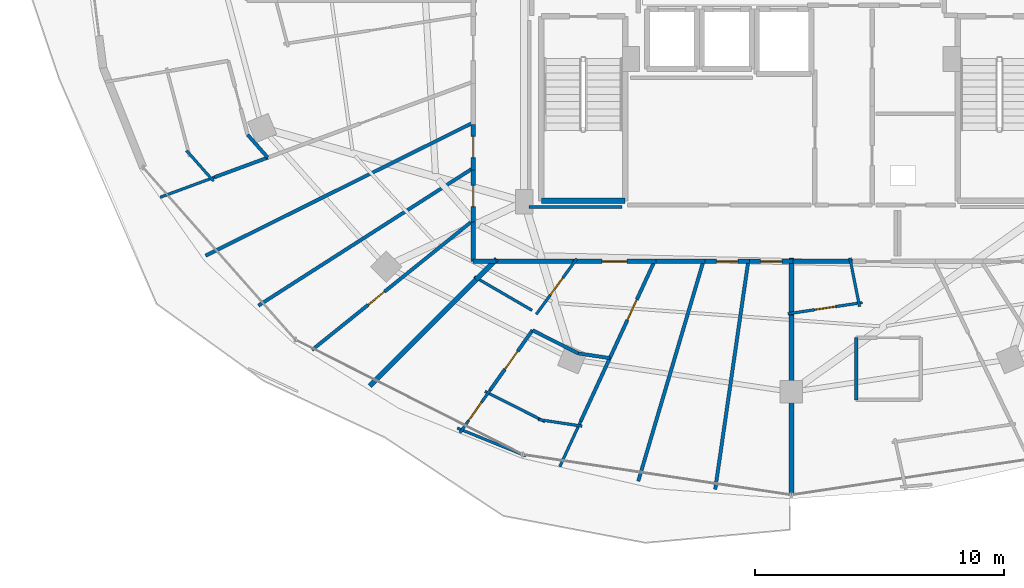
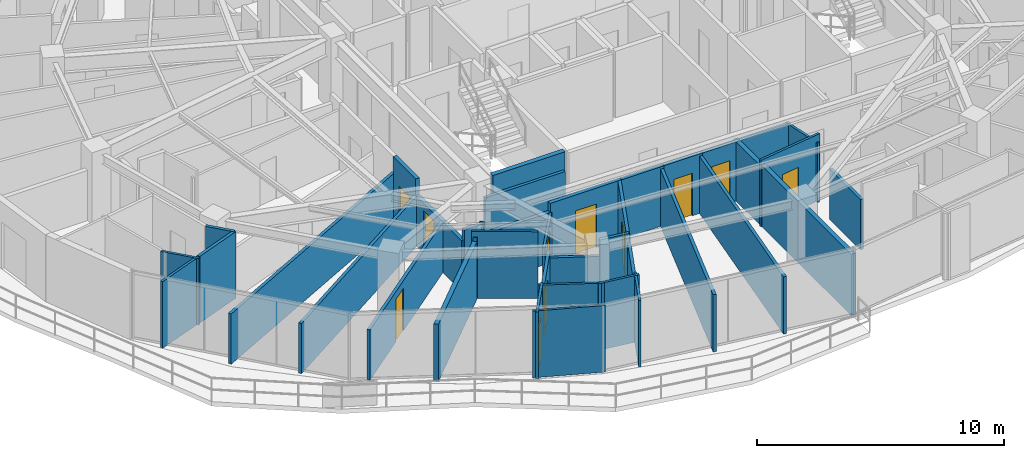
# One storey, part 23 of 32: 40 walls, 11 doors, 11 openings.
"""IFC4 building model written with IfcOpenShell, lengths in metres."""

import ifcopenshell
import ifcopenshell.guid

model = None  # the IFC model being written
_history = None  # IfcOwnerHistory: only IFC2X3 demands one
_inside = {}  # id of a spatial element -> (the spatial element, [elements in it])
_under = {}  # id of a project, library or spatial element -> (it, [spatial elements below it])
_declared = {}  # id of a project -> (the project, [libraries it declares])
_typed = {}  # id of a type object -> (the type object, [elements of that type])
_made_of = {}  # id of a material, layer set ... -> (it, [elements and type objects made of it])


def new_model(schema):
    """Start an empty IFC model of exactly this schema.

    Asked for "IFC4X3", IfcOpenShell would pick the latest addendum, in which some entities
    have other attributes; the version numbers below select the first issue.
    IFC2X3 requires an IfcOwnerHistory on every rooted entity: one is made here for all.
    """
    global model, _history
    if schema == "IFC4X3":
        model = ifcopenshell.file(schema_version=(4, 3, 0, 0))
    else:
        model = ifcopenshell.file(schema=schema)
    _inside.clear()
    _under.clear()
    _declared.clear()
    _typed.clear()
    _made_of.clear()
    _history = None
    if model.schema == "IFC2X3":
        org = make("IfcOrganization", Name="unknown")
        user = make(
            "IfcPersonAndOrganization",
            ThePerson=make("IfcPerson", FamilyName="unknown"),
            TheOrganization=org,
        )
        app = make(
            "IfcApplication",
            ApplicationDeveloper=org,
            Version="unknown",
            ApplicationFullName="unknown",
            ApplicationIdentifier="unknown",
        )
        _history = make(
            "IfcOwnerHistory",
            OwningUser=user,
            OwningApplication=app,
            ChangeAction="ADDED",
            CreationDate=0,
        )
    return model


def make(cls, **values):
    """One entity of the class cls with the attributes given. An attribute that is None is left unset."""
    return model.create_entity(
        cls, **{name: value for name, value in values.items() if value is not None}
    )


def rooted(cls, **values):
    """An entity with a GlobalId (a new one), such as an element, a storey or a relation."""
    return make(cls, GlobalId=ifcopenshell.guid.new(), OwnerHistory=_history, **values)


def si_unit(unit_type, name, prefix=None):
    """IfcSIUnit, for example si_unit("LENGTHUNIT", "METRE", prefix="MILLI")."""
    return make("IfcSIUnit", UnitType=unit_type, Prefix=prefix, Name=name)


def assignment(units):
    """IfcUnitAssignment: the units of a project."""
    return None if units is None else make("IfcUnitAssignment", Units=units)


def point(xyz):
    """IfcCartesianPoint."""
    return None if xyz is None else make("IfcCartesianPoint", Coordinates=xyz)


def direction(xyz):
    """IfcDirection."""
    return None if xyz is None else make("IfcDirection", DirectionRatios=xyz)


def frame(location, z_axis=None, x_axis=None):
    """IfcAxis2Placement3D, a coordinate frame: its origin and axes. An axis left out is left unset."""
    return make(
        "IfcAxis2Placement3D",
        Location=point(location),
        Axis=direction(z_axis),
        RefDirection=direction(x_axis),
    )


def frame_2d(location, x_axis=None):
    """IfcAxis2Placement2D, a coordinate frame in the plane: its origin and x axis."""
    return make(
        "IfcAxis2Placement2D", Location=point(location), RefDirection=direction(x_axis)
    )


def origin():
    """The frame at (0, 0, 0) with its axes left unset."""
    return frame((0.0, 0.0, 0.0))


def place(relative_to, where):
    """IfcLocalPlacement: puts the frame where relative to a parent placement (None: the world)."""
    return make(
        "IfcLocalPlacement", PlacementRelTo=relative_to, RelativePlacement=where
    )


def context(
    kind, dimensions, precision=None, world=None, true_north=None, identifier=None
):
    """IfcGeometricRepresentationContext, for example the 3D "Model" context."""
    return make(
        "IfcGeometricRepresentationContext",
        ContextIdentifier=identifier,
        ContextType=kind,
        CoordinateSpaceDimension=dimensions,
        Precision=precision,
        WorldCoordinateSystem=world,
        TrueNorth=true_north,
    )


def subcontext(parent, identifier, kind, view, scale=None):
    """IfcGeometricRepresentationSubContext, for example "Body" below "Model"."""
    return make(
        "IfcGeometricRepresentationSubContext",
        ContextIdentifier=identifier,
        ContextType=kind,
        ParentContext=parent,
        TargetScale=scale,
        TargetView=view,
    )


def project(units=None, contexts=None):
    """IfcProject with its units and contexts."""
    return rooted(
        "IfcProject",
        Name="project",
        RepresentationContexts=contexts,
        UnitsInContext=assignment(units),
    )


def spatial(cls, under=None, at=None, **own):
    """A site, building, storey or space (cls), placed at a placement, below another one or the project."""
    s = rooted(cls, ObjectPlacement=at, **own)
    if under is not None:
        _under.setdefault(under.id(), (under, []))[1].append(s)
    return s


def profile(cls, at=None, kind="AREA", **sizes):
    """A parametric profile (cls). Its sizes go by their IFC names, for example OverallWidth=200.0."""
    return make(cls, ProfileType=kind, Position=at, **sizes)


def rectangle(**sizes):
    """IfcRectangleProfileDef."""
    return profile("IfcRectangleProfileDef", **sizes)


def extrude(swept, where, along, depth):
    """IfcExtrudedAreaSolid: the profile swept, set in the frame where, extruded along a direction by depth."""
    return make(
        "IfcExtrudedAreaSolid",
        SweptArea=swept,
        Position=where,
        ExtrudedDirection=direction(along),
        Depth=depth,
    )


def shape(context_of_items, identifier, shape_type, items):
    """IfcShapeRepresentation: the items that make up one representation, for example the "Body"."""
    return make(
        "IfcShapeRepresentation",
        ContextOfItems=context_of_items,
        RepresentationIdentifier=identifier,
        RepresentationType=shape_type,
        Items=items,
    )


def material(Name=None, Category=None):
    """IfcMaterial."""
    return make("IfcMaterial", Name=Name, Category=Category)


def layer(
    of_material, thickness, ventilated=None, Name=None, Category=None, Priority=None
):
    """IfcMaterialLayer: one layer of a wall or slab, of a material (None: an air gap)."""
    return make(
        "IfcMaterialLayer",
        Material=of_material,
        LayerThickness=thickness,
        IsVentilated=ventilated,
        Name=Name,
        Category=Category,
        Priority=Priority,
    )


def layer_set(layers, Name=None):
    """IfcMaterialLayerSet."""
    return make("IfcMaterialLayerSet", MaterialLayers=layers, LayerSetName=Name)


def made_of(thing, what):
    """Note that an element or type object is made of a material, layer set ...; save() writes the relation."""
    if what is not None:
        _made_of.setdefault(what.id(), (what, []))[1].append(thing)
    return thing


def type_object(cls, material=None, **own):
    """A type object (cls), such as IfcWallType, which elements share."""
    return made_of(rooted(cls, **own), material)


def element(
    cls,
    number,
    at=None,
    inside=None,
    cuts=None,
    type_object=None,
    material=None,
    context=None,
    identifier="Body",
    shape_type=None,
    held_by="IfcProductDefinitionShape",
    body=None,
    shapes=None,
    **own,
):
    """One element of the class cls, such as IfcWall. Its Tag is "e" and its number.

    at: its placement. inside: the storey or other place that contains it. cuts: it is an
    opening in that element (IfcRelVoidsElement). A single representation is given by context,
    identifier, shape_type and body (its items); several are given by shapes. held_by: the class
    of the entity that holds the representations. save() writes the other relations.
    """
    e = rooted(cls, Tag="e%d" % number, ObjectPlacement=at, **own)
    if body is not None:
        shapes = [shape(context, identifier, shape_type, body)]
    if shapes is not None:
        e.Representation = make(held_by, Representations=shapes)
    if inside is not None:
        _inside.setdefault(inside.id(), (inside, []))[1].append(e)
    if cuts is not None:
        rooted(
            "IfcRelVoidsElement", RelatingBuildingElement=cuts, RelatedOpeningElement=e
        )
    if type_object is not None:
        _typed.setdefault(type_object.id(), (type_object, []))[1].append(e)
    return made_of(e, material)


def fill(opening, filler):
    """IfcRelFillsElement: the door or window that sits in an opening."""
    return rooted(
        "IfcRelFillsElement",
        RelatingOpeningElement=opening,
        RelatedBuildingElement=filler,
    )


def aggregate(whole, parts):
    """IfcRelAggregates: a whole, such as a stair, and the parts it consists of."""
    return rooted("IfcRelAggregates", RelatingObject=whole, RelatedObjects=parts)


def save(model, path):
    """Write the relations noted so far, then the file.

    IfcRelAggregates (storeys below a building ...), IfcRelContainedInSpatialStructure (elements
    in a storey), IfcRelDefinesByType, IfcRelAssociatesMaterial and IfcRelDeclares: one each for
    every whole, place, type object, material and project.
    """
    for whole, parts in _under.values():
        aggregate(whole, parts)
    for where, things in _inside.values():
        rooted(
            "IfcRelContainedInSpatialStructure",
            RelatedElements=things,
            RelatingStructure=where,
        )
    for kind, things in _typed.values():
        rooted("IfcRelDefinesByType", RelatedObjects=things, RelatingType=kind)
    for what, things in _made_of.values():
        rooted("IfcRelAssociatesMaterial", RelatedObjects=things, RelatingMaterial=what)
    for by, libraries in _declared.values():
        rooted("IfcRelDeclares", RelatingContext=by, RelatedDefinitions=libraries)
    model.write(path)


model = new_model("IFC4")

# Units and contexts
model_context = context("Model", 3, precision=1e-05, world=origin(), true_north=direction((0.0, 1.0)))
body_context = subcontext(model_context, "Body", "Model", "MODEL_VIEW")
ifc_project = project(units=[si_unit("LENGTHUNIT", "METRE"), si_unit("AREAUNIT", "SQUARE_METRE"), si_unit("VOLUMEUNIT", "CUBIC_METRE"), si_unit("PLANEANGLEUNIT", "RADIAN"), si_unit("MASSUNIT", "GRAM", prefix="KILO")], contexts=[model_context])

# Site, building, storey
site_placement = place(None, origin())
site = spatial("IfcSite", under=ifc_project, at=site_placement, CompositionType="ELEMENT")
building_placement = place(site_placement, origin())
building = spatial("IfcBuilding", under=site, at=building_placement, Name="Vorneva Point Tower", CompositionType="ELEMENT")
storey_placement = place(building_placement, frame((0.0, 0.0, 207.199951171875)))
storey = spatial("IfcBuildingStorey", under=building, at=storey_placement, Name="L56", CompositionType="ELEMENT", Elevation=207.199951171875)

# Walls
ifc_material_1 = material(Name="Fire-rated acoustic gypsum stud partition", Category="gypsum")
ifc_layer_1 = layer(ifc_material_1, 0.110107421875)
ifc_layer_set_1 = layer_set([ifc_layer_1], Name="Fire-rated acoustic gypsum stud partition")
wall_type_1 = type_object("IfcWallType", Name="WL-PART-110", PredefinedType="PARTITIONING", material=ifc_layer_set_1)
wall_1_placement = place(storey_placement, frame((14.749755859375, 17.283203125, 0.0), z_axis=(0.0, 0.0, 1.0), x_axis=(-0.662345628205, 0.749198417509, 0.0)))
element("IfcWall", 1, at=wall_1_placement, inside=storey, type_object=wall_type_1, Name="L56 Interior Partition 106", PredefinedType="PARTITIONING", context=body_context, shape_type="SweptSolid", body=[
    extrude(rectangle(XDim=1.638916015625, YDim=0.110107421875, at=frame_2d((0.8193359375, 0.0))), origin(), (0.0, 0.0, 1.0), 3.2900390625),
])
wall_2_placement = place(storey_placement, frame((12.603759765625, 16.630615234375, 0.0), z_axis=(0.0, 0.0, 1.0), x_axis=(0.938194450562, 0.346108614361, 0.0)))
element("IfcWall", 2, at=wall_2_placement, inside=storey, type_object=wall_type_1, Name="L56 Interior Partition 108", PredefinedType="PARTITIONING", context=body_context, shape_type="SweptSolid", body=[
    extrude(rectangle(XDim=2.328369140625, YDim=0.110107421875, at=frame_2d((1.1640625, 0.0))), origin(), (0.0, 0.0, 1.0), 3.2900390625),
])

# Wall, opening, door
wall_3_placement = place(storey_placement, frame((29.37158203125, 14.1630859375, 0.0), z_axis=(0.0, 0.0, 1.0), x_axis=(-0.589066743954, -0.808084383693, 0.0)))
wall_3 = element("IfcWall", 3, at=wall_3_placement, inside=storey, type_object=wall_type_1, Name="L56 Interior Partition 115", PredefinedType="PARTITIONING", context=body_context, shape_type="SweptSolid", body=[
    extrude(rectangle(XDim=2.772216796875, YDim=0.110107421875, at=frame_2d((1.38623046875, 0.0))), origin(), (0.0, 0.0, 1.0), 2.48193359375),
])
opening_1_placement = place(wall_3_placement, frame((0.961181640625, 0.0, 0.0)))
opening_1 = element("IfcOpeningElement", 4, at=opening_1_placement, cuts=wall_3, Name="Opening ID-02", PredefinedType="OPENING", context=body_context, shape_type="SweptSolid", body=[
    extrude(rectangle(XDim=0.85009765625, YDim=2.10009765625, at=frame_2d((0.425048828125, 1.050048828125))), frame((0.0, 0.06982421875, 0.0), z_axis=(0.0, -1.0, 0.0), x_axis=(1.0, 0.0, 0.0)), (0.0, 0.0, 1.0), 0.139892578125),
])
ifc_material_2 = material(Name="Engineered oak fire-rated door leaf", Category="wood")
door_type_1 = type_object("IfcDoorType", Name="DR-BATH-850", OperationType="NOTDEFINED", PredefinedType="DOOR", material=ifc_material_2)
door_1_placement = place(opening_1_placement, origin())
door_1 = element("IfcDoor", 5, at=door_1_placement, inside=storey, type_object=door_type_1, Name="L56 Door Living and Dining Room L56-04 / Bathroom L56-04", OperationType="SINGLE_SWING_LEFT", OverallHeight=2.10009765625, OverallWidth=0.85009765625, PredefinedType="DOOR", context=body_context, shape_type="SweptSolid", body=[
    extrude(rectangle(XDim=0.85009765625, YDim=2.10009765625, at=frame_2d((0.425048828125, 1.050048828125))), frame((0.0, 0.02490234375, 0.0), z_axis=(0.0, -1.0, 0.0), x_axis=(1.0, 0.0, 0.0)), (0.0, 0.0, 1.0), 0.050048828125),
])
fill(opening_1, door_1)

# Walls
wall_4_placement = place(storey_placement, frame((27.568115234375, 12.08251953125, 0.0), z_axis=(0.0, 0.0, 1.0), x_axis=(-0.864515441931, 0.502606258082, 0.0)))
element("IfcWall", 6, at=wall_4_placement, inside=storey, type_object=wall_type_1, Name="L56 Interior Partition 116", PredefinedType="PARTITIONING", context=body_context, shape_type="SweptSolid", body=[
    extrude(rectangle(XDim=2.689697265625, YDim=0.110107421875, at=frame_2d((1.3447265625, 0.0))), origin(), (0.0, 0.0, 1.0), 3.2900390625),
])
wall_5_placement = place(storey_placement, frame((29.528564453125, 7.6240234375, 0.0), z_axis=(0.0, 0.0, 1.0), x_axis=(-0.418673802252, -0.908136689771, 0.0)))
element("IfcWall", 7, at=wall_5_placement, inside=storey, type_object=wall_type_1, Name="L56 Interior Partition 117", PredefinedType="PARTITIONING", context=body_context, shape_type="SweptSolid", body=[
    extrude(rectangle(XDim=2.01416015625, YDim=0.110107421875, at=frame_2d((1.007080078125, 0.0))), origin(), (0.0, 0.0, 1.0), 3.2900390625),
])
wall_6_placement = place(storey_placement, frame((24.561279296875, 7.342529296875, 0.0), z_axis=(0.0, 0.0, 1.0), x_axis=(0.926858319785, -0.375411314487, 0.0)))
element("IfcWall", 8, at=wall_6_placement, inside=storey, type_object=wall_type_1, Name="L56 Interior Partition 118", PredefinedType="PARTITIONING", context=body_context, shape_type="SweptSolid", body=[
    extrude(rectangle(XDim=2.970703125, YDim=0.110107421875, at=frame_2d((1.4853515625, 0.0))), origin(), (0.0, 0.0, 1.0), 3.2900390625),
])

# Wall, opening, door
wall_7_placement = place(storey_placement, frame((24.666259765625, 7.15380859375, 0.0), z_axis=(0.0, 0.0, 1.0), x_axis=(0.577389248155, 0.816469017241, 0.0)))
wall_7 = element("IfcWall", 9, at=wall_7_placement, inside=storey, type_object=wall_type_1, Name="L56 Interior Partition 119", PredefinedType="PARTITIONING", context=body_context, shape_type="SweptSolid", body=[
    extrude(rectangle(XDim=2.103515625, YDim=0.110107421875, at=frame_2d((1.0517578125, 0.0))), origin(), (0.0, 0.0, 1.0), 3.2900390625),
])
opening_2_placement = place(wall_7_placement, frame((0.601806640625, 0.0, 0.0)))
opening_2 = element("IfcOpeningElement", 10, at=opening_2_placement, cuts=wall_7, Name="Opening ID-01", PredefinedType="OPENING", context=body_context, shape_type="SweptSolid", body=[
    extrude(rectangle(XDim=0.89990234375, YDim=2.10009765625, at=frame_2d((0.449951171875, 1.050048828125))), frame((0.0, 0.06982421875, 0.0), z_axis=(0.0, -1.0, 0.0), x_axis=(1.0, 0.0, 0.0)), (0.0, 0.0, 1.0), 0.139892578125),
])
door_type_2 = type_object("IfcDoorType", Name="DR-ROOM-900", OperationType="NOTDEFINED", PredefinedType="DOOR", material=ifc_material_2)
door_2_placement = place(opening_2_placement, origin())
door_2 = element("IfcDoor", 11, at=door_2_placement, inside=storey, type_object=door_type_2, Name="L56 Door Living and Dining Room L56-04 / Kitchen L56-04", OperationType="SINGLE_SWING_LEFT", OverallHeight=2.10009765625, OverallWidth=0.89990234375, PredefinedType="DOOR", context=body_context, shape_type="SweptSolid", body=[
    extrude(rectangle(XDim=0.89990234375, YDim=2.10009765625, at=frame_2d((0.449951171875, 1.050048828125))), frame((0.0, 0.02490234375, 0.0), z_axis=(0.0, -1.0, 0.0), x_axis=(1.0, 0.0, 0.0)), (0.0, 0.0, 1.0), 0.050048828125),
])
fill(opening_2, door_2)

# Walls
wall_8_placement = place(storey_placement, frame((29.58349609375, 7.422119140625, 0.0), z_axis=(0.0, 0.0, 1.0), x_axis=(-0.988830695744, 0.149043131857, 0.0)))
element("IfcWall", 12, at=wall_8_placement, inside=storey, type_object=wall_type_1, Name="L56 Interior Partition 125", PredefinedType="PARTITIONING", context=body_context, shape_type="SweptSolid", body=[
    extrude(rectangle(XDim=1.783935546875, YDim=0.110107421875, at=frame_2d((0.89208984375, 0.0))), origin(), (0.0, 0.0, 1.0), 3.2900390625),
])
wall_9_placement = place(storey_placement, frame((28.0830078125, 7.60400390625, 0.0), z_axis=(0.0, 0.0, 1.0), x_axis=(-0.892628057427, 0.450793911999, 0.0)))
element("IfcWall", 13, at=wall_9_placement, inside=storey, type_object=wall_type_1, Name="L56 Interior Partition 126", PredefinedType="PARTITIONING", context=body_context, shape_type="SweptSolid", body=[
    extrude(rectangle(XDim=2.697509765625, YDim=0.110107421875, at=frame_2d((1.3486328125, 0.0))), origin(), (0.0, 0.0, 1.0), 3.2900390625),
])
wall_10_placement = place(storey_placement, frame((40.357666015625, 14.187255859375, 0.0), z_axis=(0.0, 0.0, 1.0), x_axis=(0.195313900905, -0.980740781304, 0.0)))
element("IfcWall", 14, at=wall_10_placement, inside=storey, type_object=wall_type_1, Name="L56 Interior Partition 131", PredefinedType="PARTITIONING", context=body_context, shape_type="SweptSolid", body=[
    extrude(rectangle(XDim=1.989990234375, YDim=0.110107421875, at=frame_2d((0.9951171875, 0.0))), origin(), (0.0, 0.0, 1.0), 2.93603515625),
])

# Wall, opening, door
wall_11_placement = place(storey_placement, frame((40.857421875, 12.393798828125, 0.0), z_axis=(0.0, 0.0, 1.0), x_axis=(-0.988873015636, -0.148762088409, 0.0)))
wall_11 = element("IfcWall", 15, at=wall_11_placement, inside=storey, type_object=wall_type_1, Name="L56 Interior Partition 132", PredefinedType="PARTITIONING", context=body_context, shape_type="SweptSolid", body=[
    extrude(rectangle(XDim=3.029541015625, YDim=0.110107421875, at=frame_2d((1.5146484375, 0.0))), origin(), (0.0, 0.0, 1.0), 3.2900390625),
])
opening_3_placement = place(wall_11_placement, frame((1.089599609375, 0.0, 0.0)))
opening_3 = element("IfcOpeningElement", 16, at=opening_3_placement, cuts=wall_11, Name="Opening ID-02", PredefinedType="OPENING", context=body_context, shape_type="SweptSolid", body=[
    extrude(rectangle(XDim=0.85009765625, YDim=2.10009765625, at=frame_2d((0.425048828125, 1.050048828125))), frame((0.0, 0.06982421875, 0.0), z_axis=(0.0, -1.0, 0.0), x_axis=(1.0, 0.0, 0.0)), (0.0, 0.0, 1.0), 0.139892578125),
])
door_3_placement = place(opening_3_placement, origin())
door_3 = element("IfcDoor", 17, at=door_3_placement, inside=storey, type_object=door_type_1, Name="L56 Door Living and Dining Room L56-05 / Bathroom L56-05", OperationType="SINGLE_SWING_RIGHT", OverallHeight=2.10009765625, OverallWidth=0.85009765625, PredefinedType="DOOR", context=body_context, shape_type="SweptSolid", body=[
    extrude(rectangle(XDim=0.85009765625, YDim=2.10009765625, at=frame_2d((0.425048828125, 1.050048828125))), frame((0.0, 0.02490234375, 0.0), z_axis=(0.0, -1.0, 0.0), x_axis=(1.0, 0.0, 0.0)), (0.0, 0.0, 1.0), 0.050048828125),
])
fill(opening_3, door_3)

# Walls
ifc_layer_2 = layer(ifc_material_1, 0.139892578125)
ifc_layer_set_2 = layer_set([ifc_layer_2], Name="Fire-rated acoustic gypsum stud partition")
wall_type_2 = type_object("IfcWallType", Name="WL-PART-140", PredefinedType="PARTITIONING", material=ifc_layer_set_2)
wall_12_placement = place(storey_placement, frame((16.123046875, 19.14697265625, 0.0), z_axis=(0.0, 0.0, 1.0), x_axis=(0.66171386468, -0.749756467988, 0.0)))
element("IfcWall", 18, at=wall_12_placement, inside=storey, type_object=wall_type_2, Name="L56 Interior Partition 103", PredefinedType="PARTITIONING", context=body_context, shape_type="SweptSolid", body=[
    extrude(rectangle(XDim=1.2255859375, YDim=0.139892578125, at=frame_2d((0.61279296875, 0.0))), origin(), (0.0, 0.0, 1.0), 3.2900390625),
])
wall_13_placement = place(storey_placement, frame((14.788330078125, 17.436279296875, 0.0), z_axis=(0.0, 0.0, 1.0), x_axis=(0.938171690747, 0.346170303003, 0.0)))
element("IfcWall", 19, at=wall_13_placement, inside=storey, type_object=wall_type_2, Name="L56 Interior Partition 109", PredefinedType="PARTITIONING", context=body_context, shape_type="SweptSolid", body=[
    extrude(rectangle(XDim=2.287109375, YDim=0.139892578125, at=frame_2d((1.1435546875, 0.0))), origin(), (0.0, 0.0, 1.0), 3.2900390625),
])
wall_14_placement = place(storey_placement, frame((14.427978515625, 14.280029296875, 0.0), z_axis=(0.0, 0.0, 1.0), x_axis=(0.895423439435, 0.44521552546, 0.0)))
element("IfcWall", 20, at=wall_14_placement, inside=storey, type_object=wall_type_2, Name="L56 Interior Partition 110", PredefinedType="PARTITIONING", context=body_context, shape_type="SweptSolid", body=[
    extrude(rectangle(XDim=12.030029296875, YDim=0.139892578125, at=frame_2d((6.01513671875, 0.0))), origin(), (0.0, 0.0, 1.0), 2.48193359375),
])
wall_15_placement = place(storey_placement, frame((16.554931640625, 12.27197265625, 0.0), z_axis=(0.0, 0.0, 1.0), x_axis=(0.842221721565, 0.539131312135, 0.0)))
element("IfcWall", 21, at=wall_15_placement, inside=storey, type_object=wall_type_2, Name="L56 Interior Partition 111", PredefinedType="PARTITIONING", context=body_context, shape_type="SweptSolid", body=[
    extrude(rectangle(XDim=10.2646484375, YDim=0.139892578125, at=frame_2d((5.13232421875, 0.0))), origin(), (0.0, 0.0, 1.0), 2.48193359375),
])

# Wall, opening, door
wall_16_placement = place(storey_placement, frame((18.715087890625, 10.487060546875, 0.0), z_axis=(0.0, 0.0, 1.0), x_axis=(0.779157389419, 0.626828335762, 0.0)))
wall_16 = element("IfcWall", 22, at=wall_16_placement, inside=storey, type_object=wall_type_2, Name="L56 Interior Partition 112", PredefinedType="PARTITIONING", context=body_context, shape_type="SweptSolid", body=[
    extrude(rectangle(XDim=8.322998046875, YDim=0.139892578125, at=frame_2d((4.16162109375, 0.0))), origin(), (0.0, 0.0, 1.0), 2.48193359375),
])
opening_4_placement = place(wall_16_placement, frame((2.896484375, 0.0, 0.0)))
opening_4 = element("IfcOpeningElement", 23, at=opening_4_placement, cuts=wall_16, Name="Opening ID-02", PredefinedType="OPENING", context=body_context, shape_type="SweptSolid", body=[
    extrude(rectangle(XDim=0.85009765625, YDim=2.10009765625, at=frame_2d((0.425048828125, 1.050048828125))), frame((0.0, 0.0849609375, 0.0), z_axis=(0.0, -1.0, 0.0), x_axis=(1.0, 0.0, 0.0)), (0.0, 0.0, 1.0), 0.169677734375),
])
door_4_placement = place(opening_4_placement, origin())
door_4 = element("IfcDoor", 24, at=door_4_placement, inside=storey, type_object=door_type_1, Name="L56 Access Door Bedroom L56-03.3", OperationType="SINGLE_SWING_LEFT", OverallHeight=2.10009765625, OverallWidth=0.85009765625, PredefinedType="DOOR", context=body_context, shape_type="SweptSolid", body=[
    extrude(rectangle(XDim=0.85009765625, YDim=2.10009765625, at=frame_2d((0.425048828125, 1.050048828125))), frame((0.0, 0.02490234375, 0.0), z_axis=(0.0, -1.0, 0.0), x_axis=(1.0, 0.0, 0.0)), (0.0, 0.0, 1.0), 0.050048828125),
])
fill(opening_4, door_4)

# Walls
wall_17_placement = place(storey_placement, frame((27.5859375, 11.280029296875, 0.0), z_axis=(0.0, 0.0, 1.0), x_axis=(0.89250267167, -0.451042105643, 0.0)))
element("IfcWall", 25, at=wall_17_placement, inside=storey, type_object=wall_type_2, Name="L56 Interior Partition 120", PredefinedType="PARTITIONING", context=body_context, shape_type="SweptSolid", body=[
    extrude(rectangle(XDim=2.06396484375, YDim=0.139892578125, at=frame_2d((1.031982421875, 0.0))), origin(), (0.0, 0.0, 1.0), 2.48193359375),
])
wall_18_placement = place(storey_placement, frame((29.427978515625, 10.34912109375, 0.0), z_axis=(0.0, 0.0, 1.0), x_axis=(0.988955881685, -0.148210202353, 0.0)))
element("IfcWall", 26, at=wall_18_placement, inside=storey, type_object=wall_type_2, Name="L56 Interior Partition 121", PredefinedType="PARTITIONING", context=body_context, shape_type="SweptSolid", body=[
    extrude(rectangle(XDim=1.283203125, YDim=0.139892578125, at=frame_2d((0.6416015625, 0.0))), origin(), (0.0, 0.0, 1.0), 3.2900390625),
])
wall_19_placement = place(storey_placement, frame((30.697021484375, 10.158935546875, 0.0), z_axis=(0.0, 0.0, 1.0), x_axis=(-0.41861439522, -0.908164075547, 0.0)))
element("IfcWall", 27, at=wall_19_placement, inside=storey, type_object=wall_type_2, Name="L56 Interior Partition 122", PredefinedType="PARTITIONING", context=body_context, shape_type="SweptSolid", body=[
    extrude(rectangle(XDim=2.791259765625, YDim=0.139892578125, at=frame_2d((1.3955078125, 0.0))), origin(), (0.0, 0.0, 1.0), 2.823974609375),
])

# Wall, opening, door
wall_20_placement = place(storey_placement, frame((25.880859375, 8.87109375, 0.0), z_axis=(0.0, 0.0, 1.0), x_axis=(0.577734997211, 0.816224401128, 0.0)))
wall_20 = element("IfcWall", 28, at=wall_20_placement, inside=storey, type_object=wall_type_2, Name="L56 Interior Partition 123", PredefinedType="PARTITIONING", context=body_context, shape_type="SweptSolid", body=[
    extrude(rectangle(XDim=2.951416015625, YDim=0.139892578125, at=frame_2d((1.4755859375, 0.0))), origin(), (0.0, 0.0, 1.0), 2.823974609375),
])
opening_5_placement = place(wall_20_placement, frame((1.025634765625, 0.0, 0.0)))
opening_5 = element("IfcOpeningElement", 29, at=opening_5_placement, cuts=wall_20, Name="Opening ID-01", PredefinedType="OPENING", context=body_context, shape_type="SweptSolid", body=[
    extrude(rectangle(XDim=0.89990234375, YDim=2.10009765625, at=frame_2d((0.449951171875, 1.050048828125))), frame((0.0, 0.0849609375, 0.0), z_axis=(0.0, -1.0, 0.0), x_axis=(1.0, 0.0, 0.0)), (0.0, 0.0, 1.0), 0.169677734375),
])
door_5_placement = place(opening_5_placement, origin())
door_5 = element("IfcDoor", 30, at=door_5_placement, inside=storey, type_object=door_type_2, Name="L56 Door Living and Dining Room L56-04 / Study Room L56-04", OperationType="SINGLE_SWING_RIGHT", OverallHeight=2.10009765625, OverallWidth=0.89990234375, PredefinedType="DOOR", context=body_context, shape_type="SweptSolid", body=[
    extrude(rectangle(XDim=0.89990234375, YDim=2.10009765625, at=frame_2d((0.449951171875, 1.050048828125))), frame((0.0, 0.02490234375, 0.0), z_axis=(0.0, -1.0, 0.0), x_axis=(1.0, 0.0, 0.0)), (0.0, 0.0, 1.0), 0.050048828125),
])
fill(opening_5, door_5)

wall_21_placement = place(storey_placement, frame((30.697265625, 10.158935546875, 0.0), z_axis=(0.0, 0.0, 1.0), x_axis=(0.418635364892, 0.908154409372, 0.0)))
wall_21 = element("IfcWall", 31, at=wall_21_placement, inside=storey, type_object=wall_type_2, Name="L56 Interior Partition 124", PredefinedType="PARTITIONING", context=body_context, shape_type="SweptSolid", body=[
    extrude(rectangle(XDim=4.28466796875, YDim=0.139892578125, at=frame_2d((2.142333984375, 0.0))), origin(), (0.0, 0.0, 1.0), 2.93603515625),
])
opening_6_placement = place(wall_21_placement, frame((1.6923828125, 0.0, 0.0)))
opening_6 = element("IfcOpeningElement", 32, at=opening_6_placement, cuts=wall_21, Name="Opening ID-01", PredefinedType="OPENING", context=body_context, shape_type="SweptSolid", body=[
    extrude(rectangle(XDim=0.89990234375, YDim=2.10009765625, at=frame_2d((0.449951171875, 1.050048828125))), frame((0.0, 0.0849609375, 0.0), z_axis=(0.0, -1.0, 0.0), x_axis=(1.0, 0.0, 0.0)), (0.0, 0.0, 1.0), 0.169677734375),
])
door_6_placement = place(opening_6_placement, origin())
door_6 = element("IfcDoor", 33, at=door_6_placement, inside=storey, type_object=door_type_2, Name="L56 Door Living and Dining Room L56-04 / Master Bedroom L56-04.1", OperationType="SINGLE_SWING_LEFT", OverallHeight=2.10009765625, OverallWidth=0.89990234375, PredefinedType="DOOR", context=body_context, shape_type="SweptSolid", body=[
    extrude(rectangle(XDim=0.89990234375, YDim=2.10009765625, at=frame_2d((0.449951171875, 1.050048828125))), frame((0.0, 0.02490234375, 0.0), z_axis=(0.0, -1.0, 0.0), x_axis=(1.0, 0.0, 0.0)), (0.0, 0.0, 1.0), 0.050048828125),
])
fill(opening_6, door_6)

# Walls
wall_22_placement = place(storey_placement, frame((31.842041015625, 5.2099609375, 0.0), z_axis=(0.0, 0.0, 1.0), x_axis=(0.283952183478, 0.958838441813, 0.0)))
element("IfcWall", 34, at=wall_22_placement, inside=storey, type_object=wall_type_2, Name="L56 Interior Partition 127", PredefinedType="PARTITIONING", context=body_context, shape_type="SweptSolid", body=[
    extrude(rectangle(XDim=9.219482421875, YDim=0.139892578125, at=frame_2d((4.60986328125, 0.0))), origin(), (0.0, 0.0, 1.0), 2.823974609375),
])
wall_23_placement = place(storey_placement, frame((34.93798828125, 4.87890625, 0.0), z_axis=(0.0, 0.0, 1.0), x_axis=(0.143423836858, 0.989661357749, 0.0)))
element("IfcWall", 35, at=wall_23_placement, inside=storey, type_object=wall_type_2, Name="L56 Interior Partition 128", PredefinedType="PARTITIONING", context=body_context, shape_type="SweptSolid", body=[
    extrude(rectangle(XDim=9.266845703125, YDim=0.139892578125, at=frame_2d((4.63330078125, 0.0))), origin(), (0.0, 0.0, 1.0), 2.823974609375),
])
wall_24_placement = place(storey_placement, frame((40.60693359375, 10.97900390625, 0.0), z_axis=(0.0, 0.0, 1.0), x_axis=(0.0, -1.0, 0.0)))
element("IfcWall", 36, at=wall_24_placement, inside=storey, type_object=wall_type_2, Name="L56 Interior Partition 137", PredefinedType="PARTITIONING", context=body_context, shape_type="SweptSolid", body=[
    extrude(rectangle(XDim=2.5, YDim=0.139892578125, at=frame_2d((1.25, 0.0))), origin(), (0.0, 0.0, 1.0), 2.48193359375),
])
wall_25_placement = place(storey_placement, frame((27.449951171875, 16.239990234375, 0.0), z_axis=(0.0, 0.0, 1.0), x_axis=(1.0, 0.0, 0.0)))
element("IfcWall", 37, at=wall_25_placement, inside=storey, type_object=wall_type_2, Name="L56 Interior Closure Partition 166", PredefinedType="PARTITIONING", context=body_context, shape_type="SweptSolid", body=[
    extrude(rectangle(XDim=3.7451171875, YDim=0.139892578125, at=frame_2d((1.87255859375, 0.0))), origin(), (0.0, 0.0, 1.0), 2.48193359375),
])

# Wall, opening, door
ifc_material_3 = material(Name="Autoclaved aerated concrete blockwork", Category="masonry")
ifc_layer_3 = layer(ifc_material_3, 0.179931640625)
ifc_layer_set_3 = layer_set([ifc_layer_3], Name="Autoclaved aerated concrete blockwork")
wall_type_3 = type_object("IfcWallType", Name="WL-PART-180", PredefinedType="PARTITIONING", material=ifc_layer_set_3)
wall_26_placement = place(storey_placement, frame((25.199951171875, 19.569091796875, 0.0), z_axis=(0.0, 0.0, 1.0), x_axis=(0.0, -1.0, 0.0)))
wall_26 = element("IfcWall", 38, at=wall_26_placement, inside=storey, type_object=wall_type_3, Name="L56 Interior Partition 048", PredefinedType="PARTITIONING", context=body_context, shape_type="SweptSolid", body=[
    extrude(rectangle(XDim=1.833984375, YDim=0.179931640625, at=frame_2d((0.9169921875, 0.0))), origin(), (0.0, 0.0, 1.0), 3.2900390625),
])
opening_7_placement = place(wall_26_placement, frame((0.491943359375, 0.0, 0.0)))
opening_7 = element("IfcOpeningElement", 39, at=opening_7_placement, cuts=wall_26, Name="Opening ID-02", PredefinedType="OPENING", context=body_context, shape_type="SweptSolid", body=[
    extrude(rectangle(XDim=0.85009765625, YDim=2.10009765625, at=frame_2d((0.425048828125, 1.050048828125))), frame((0.0, 0.10498046875, 0.0), z_axis=(0.0, -1.0, 0.0), x_axis=(1.0, 0.0, 0.0)), (0.0, 0.0, 1.0), 0.209716796875),
])
door_7_placement = place(opening_7_placement, origin())
door_7 = element("IfcDoor", 40, at=door_7_placement, inside=storey, type_object=door_type_1, Name="L56 Access Door L56 Circulation Corridor", OperationType="SINGLE_SWING_RIGHT", OverallHeight=2.10009765625, OverallWidth=0.85009765625, PredefinedType="DOOR", context=body_context, shape_type="SweptSolid", body=[
    extrude(rectangle(XDim=0.85009765625, YDim=2.10009765625, at=frame_2d((0.425048828125, 1.050048828125))), frame((0.0, 0.02490234375, 0.0), z_axis=(0.0, -1.0, 0.0), x_axis=(1.0, 0.0, 0.0)), (0.0, 0.0, 1.0), 0.050048828125),
])
fill(opening_7, door_7)

wall_27_placement = place(storey_placement, frame((25.199951171875, 17.735107421875, 0.0), z_axis=(0.0, 0.0, 1.0), x_axis=(0.0, -1.0, 0.0)))
wall_27 = element("IfcWall", 41, at=wall_27_placement, inside=storey, type_object=wall_type_3, Name="L56 Interior Partition 049", PredefinedType="PARTITIONING", context=body_context, shape_type="SweptSolid", body=[
    extrude(rectangle(XDim=2.108154296875, YDim=0.179931640625, at=frame_2d((1.05419921875, 0.0))), origin(), (0.0, 0.0, 1.0), 2.48193359375),
])
opening_8_placement = place(wall_27_placement, frame((0.62890625, 0.0, 0.0)))
opening_8 = element("IfcOpeningElement", 42, at=opening_8_placement, cuts=wall_27, Name="Opening ID-02", PredefinedType="OPENING", context=body_context, shape_type="SweptSolid", body=[
    extrude(rectangle(XDim=0.85009765625, YDim=2.10009765625, at=frame_2d((0.425048828125, 1.050048828125))), frame((0.0, 0.10498046875, 0.0), z_axis=(0.0, -1.0, 0.0), x_axis=(1.0, 0.0, 0.0)), (0.0, 0.0, 1.0), 0.209716796875),
])
door_8_placement = place(opening_8_placement, origin())
door_8 = element("IfcDoor", 43, at=door_8_placement, inside=storey, type_object=door_type_1, Name="L56 Access Door L56 Circulation Corridor", OperationType="SINGLE_SWING_LEFT", OverallHeight=2.10009765625, OverallWidth=0.85009765625, PredefinedType="DOOR", context=body_context, shape_type="SweptSolid", body=[
    extrude(rectangle(XDim=0.85009765625, YDim=2.10009765625, at=frame_2d((0.425048828125, 1.050048828125))), frame((0.0, 0.02490234375, 0.0), z_axis=(0.0, -1.0, 0.0), x_axis=(1.0, 0.0, 0.0)), (0.0, 0.0, 1.0), 0.050048828125),
])
fill(opening_8, door_8)

# Walls
wall_28_placement = place(storey_placement, frame((25.199951171875, 15.626953125, 0.0), z_axis=(0.0, 0.0, 1.0), x_axis=(0.0, -1.0, 0.0)))
element("IfcWall", 44, at=wall_28_placement, inside=storey, type_object=wall_type_3, Name="L56 Interior Partition 050", PredefinedType="PARTITIONING", context=body_context, shape_type="SweptSolid", body=[
    extrude(rectangle(XDim=1.576904296875, YDim=0.179931640625, at=frame_2d((0.78857421875, 0.0))), origin(), (0.0, 0.0, 1.0), 2.48193359375),
])
wall_29_placement = place(storey_placement, frame((25.199951171875, 14.050048828125, 0.0), z_axis=(0.0, 0.0, 1.0), x_axis=(1.0, 0.0, 0.0)))
element("IfcWall", 45, at=wall_29_placement, inside=storey, type_object=wall_type_3, Name="L56 Interior Partition 051", PredefinedType="PARTITIONING", context=body_context, shape_type="SweptSolid", body=[
    extrude(rectangle(XDim=0.91015625, YDim=0.179931640625, at=frame_2d((0.455078125, 0.0))), origin(), (0.0, 0.0, 1.0), 3.02197265625),
])

# Wall, opening, door
wall_30_placement = place(storey_placement, frame((29.215087890625, 14.050048828125, 0.0), z_axis=(0.0, 0.0, 1.0), x_axis=(1.0, 0.0, 0.0)))
wall_30 = element("IfcWall", 46, at=wall_30_placement, inside=storey, type_object=wall_type_3, Name="L56 Interior Partition 052", PredefinedType="PARTITIONING", context=body_context, shape_type="SweptSolid", body=[
    extrude(rectangle(XDim=3.3359375, YDim=0.179931640625, at=frame_2d((1.66796875, 0.0))), origin(), (0.0, 0.0, 1.0), 2.93603515625),
])
opening_9_placement = place(wall_30_placement, frame((1.16796875, 0.0, 0.0)))
opening_9 = element("IfcOpeningElement", 47, at=opening_9_placement, cuts=wall_30, Name="Opening UD-01", PredefinedType="OPENING", context=body_context, shape_type="SweptSolid", body=[
    extrude(rectangle(XDim=1.0, YDim=2.14990234375, at=frame_2d((0.5, 1.074951171875))), frame((0.0, 0.10498046875, 0.0), z_axis=(0.0, -1.0, 0.0), x_axis=(1.0, 0.0, 0.0)), (0.0, 0.0, 1.0), 0.209716796875),
])
door_type_3 = type_object("IfcDoorType", Name="DR-UNIT-1000", OperationType="NOTDEFINED", PredefinedType="DOOR", material=ifc_material_2)
door_9_placement = place(opening_9_placement, origin())
door_9 = element("IfcDoor", 48, at=door_9_placement, inside=storey, type_object=door_type_3, Name="L56 Door L56 Circulation Corridor / Living and Dining Room L56-04", OperationType="SINGLE_SWING_LEFT", OverallHeight=2.14990234375, OverallWidth=1.0, PredefinedType="DOOR", context=body_context, shape_type="SweptSolid", body=[
    extrude(rectangle(XDim=1.0, YDim=2.14990234375, at=frame_2d((0.5, 1.074951171875))), frame((0.0, 0.02490234375, 0.0), z_axis=(0.0, -1.0, 0.0), x_axis=(1.0, 0.0, 0.0)), (0.0, 0.0, 1.0), 0.050048828125),
])
fill(opening_9, door_9)

# Walls
wall_31_placement = place(storey_placement, frame((25.969970703125, 14.050048828125, 0.0), z_axis=(0.0, 0.0, 1.0), x_axis=(1.0, 0.0, 0.0)))
element("IfcWall", 49, at=wall_31_placement, inside=storey, type_object=wall_type_3, Name="L56 Interior Partition 053", PredefinedType="PARTITIONING", context=body_context, shape_type="SweptSolid", body=[
    extrude(rectangle(XDim=3.385009765625, YDim=0.179931640625, at=frame_2d((1.6923828125, 0.0))), origin(), (0.0, 0.0, 1.0), 2.48193359375),
])
wall_32_placement = place(storey_placement, frame((32.551025390625, 14.050048828125, 0.0), z_axis=(0.0, 0.0, 1.0), x_axis=(1.0, 0.0, 0.0)))
element("IfcWall", 50, at=wall_32_placement, inside=storey, type_object=wall_type_3, Name="L56 Interior Partition 054", PredefinedType="PARTITIONING", context=body_context, shape_type="SweptSolid", body=[
    extrude(rectangle(XDim=1.968994140625, YDim=0.179931640625, at=frame_2d((0.984375, 0.0))), origin(), (0.0, 0.0, 1.0), 2.93603515625),
])

# Wall, opening, door
wall_33_placement = place(storey_placement, frame((34.52001953125, 14.050048828125, 0.0), z_axis=(0.0, 0.0, 1.0), x_axis=(1.0, 0.0, 0.0)))
wall_33 = element("IfcWall", 51, at=wall_33_placement, inside=storey, type_object=wall_type_3, Name="L56 Interior Partition 055", PredefinedType="PARTITIONING", context=body_context, shape_type="SweptSolid", body=[
    extrude(rectangle(XDim=1.806884765625, YDim=0.179931640625, at=frame_2d((0.9033203125, 0.0))), origin(), (0.0, 0.0, 1.0), 2.93603515625),
])
opening_10_placement = place(wall_33_placement, frame((0.478515625, 0.0, 0.0)))
opening_10 = element("IfcOpeningElement", 52, at=opening_10_placement, cuts=wall_33, Name="Opening ID-02", PredefinedType="OPENING", context=body_context, shape_type="SweptSolid", body=[
    extrude(rectangle(XDim=0.85009765625, YDim=2.10009765625, at=frame_2d((0.425048828125, 1.050048828125))), frame((0.0, 0.10498046875, 0.0), z_axis=(0.0, -1.0, 0.0), x_axis=(1.0, 0.0, 0.0)), (0.0, 0.0, 1.0), 0.209716796875),
])
door_10_placement = place(opening_10_placement, origin())
door_10 = element("IfcDoor", 53, at=door_10_placement, inside=storey, type_object=door_type_1, Name="L56 Access Door L56 Circulation Corridor", OperationType="SINGLE_SWING_RIGHT", OverallHeight=2.10009765625, OverallWidth=0.85009765625, PredefinedType="DOOR", context=body_context, shape_type="SweptSolid", body=[
    extrude(rectangle(XDim=0.85009765625, YDim=2.10009765625, at=frame_2d((0.425048828125, 1.050048828125))), frame((0.0, 0.02490234375, 0.0), z_axis=(0.0, -1.0, 0.0), x_axis=(1.0, 0.0, 0.0)), (0.0, 0.0, 1.0), 0.050048828125),
])
fill(opening_10, door_10)

wall_34_placement = place(storey_placement, frame((36.326904296875, 14.050048828125, 0.0), z_axis=(0.0, 0.0, 1.0), x_axis=(1.0, 0.0, 0.0)))
wall_34 = element("IfcWall", 54, at=wall_34_placement, inside=storey, type_object=wall_type_3, Name="L56 Interior Partition 056", PredefinedType="PARTITIONING", context=body_context, shape_type="SweptSolid", body=[
    extrude(rectangle(XDim=1.733154296875, YDim=0.179931640625, at=frame_2d((0.86669921875, 0.0))), origin(), (0.0, 0.0, 1.0), 2.93603515625),
])
opening_11_placement = place(wall_34_placement, frame((0.44140625, 0.0, 0.0)))
opening_11 = element("IfcOpeningElement", 55, at=opening_11_placement, cuts=wall_34, Name="Opening ID-02", PredefinedType="OPENING", context=body_context, shape_type="SweptSolid", body=[
    extrude(rectangle(XDim=0.85009765625, YDim=2.10009765625, at=frame_2d((0.425048828125, 1.050048828125))), frame((0.0, 0.10498046875, 0.0), z_axis=(0.0, -1.0, 0.0), x_axis=(1.0, 0.0, 0.0)), (0.0, 0.0, 1.0), 0.209716796875),
])
door_11_placement = place(opening_11_placement, origin())
door_11 = element("IfcDoor", 56, at=door_11_placement, inside=storey, type_object=door_type_1, Name="L56 Access Door L56 Circulation Corridor", OperationType="SINGLE_SWING_LEFT", OverallHeight=2.10009765625, OverallWidth=0.85009765625, PredefinedType="DOOR", context=body_context, shape_type="SweptSolid", body=[
    extrude(rectangle(XDim=0.85009765625, YDim=2.10009765625, at=frame_2d((0.425048828125, 1.050048828125))), frame((0.0, 0.02490234375, 0.0), z_axis=(0.0, -1.0, 0.0), x_axis=(1.0, 0.0, 0.0)), (0.0, 0.0, 1.0), 0.050048828125),
])
fill(opening_11, door_11)

# Walls
wall_35_placement = place(storey_placement, frame((37.919921875, 14.050048828125, 0.0), z_axis=(0.0, 0.0, 1.0), x_axis=(1.0, 0.0, 0.0)))
element("IfcWall", 57, at=wall_35_placement, inside=storey, type_object=wall_type_3, Name="L56 Interior Partition 058", PredefinedType="PARTITIONING", context=body_context, shape_type="SweptSolid", body=[
    extrude(rectangle(XDim=2.545166015625, YDim=0.179931640625, at=frame_2d((1.2724609375, 0.0))), origin(), (0.0, 0.0, 1.0), 2.93603515625),
])
ifc_layer_4 = layer(ifc_material_3, 0.199951171875)
ifc_layer_set_4 = layer_set([ifc_layer_4], Name="Autoclaved aerated concrete blockwork")
wall_type_4 = type_object("IfcWallType", Name="WL-PART-200", PredefinedType="PARTITIONING", material=ifc_layer_set_4)
wall_36_placement = place(storey_placement, frame((21.041015625, 9.041015625, 0.0), z_axis=(0.0, 0.0, 1.0), x_axis=(0.707106781187, 0.707106781187, 0.0)))
element("IfcWall", 58, at=wall_36_placement, inside=storey, type_object=wall_type_4, Name="L56 Interior Partition 113", PredefinedType="PARTITIONING", context=body_context, shape_type="SweptSolid", body=[
    extrude(rectangle(XDim=6.17578125, YDim=0.199951171875, at=frame_2d((3.087890625, 0.0))), origin(), (0.0, 0.0, 1.0), 2.823974609375),
])
wall_37_placement = place(storey_placement, frame((25.30908203125, 13.30908203125, 0.0), z_axis=(0.0, 0.0, 1.0), x_axis=(0.707106781187, 0.707106781187, 0.0)))
element("IfcWall", 59, at=wall_37_placement, inside=storey, type_object=wall_type_4, Name="L56 Interior Partition 114", PredefinedType="PARTITIONING", context=body_context, shape_type="SweptSolid", body=[
    extrude(rectangle(XDim=1.187744140625, YDim=0.199951171875, at=frame_2d((0.59375, 0.0))), origin(), (0.0, 0.0, 1.0), 3.02197265625),
])
wall_38_placement = place(storey_placement, frame((38.0, 4.64990234375, 0.0), z_axis=(0.0, 0.0, 1.0), x_axis=(0.0, 1.0, 0.0)))
element("IfcWall", 60, at=wall_38_placement, inside=storey, type_object=wall_type_4, Name="L56 Interior Partition 129", PredefinedType="PARTITIONING", context=body_context, shape_type="SweptSolid", body=[
    extrude(rectangle(XDim=7.375, YDim=0.199951171875, at=frame_2d((3.6875, 0.0))), origin(), (0.0, 0.0, 1.0), 3.02197265625),
])
wall_39_placement = place(storey_placement, frame((38.0, 11.885009765625, 0.0), z_axis=(0.0, 0.0, 1.0), x_axis=(0.0, 1.0, 0.0)))
element("IfcWall", 61, at=wall_39_placement, inside=storey, type_object=wall_type_4, Name="L56 Interior Partition 130", PredefinedType="PARTITIONING", context=body_context, shape_type="SweptSolid", body=[
    extrude(rectangle(XDim=2.304931640625, YDim=0.199951171875, at=frame_2d((1.15234375, 0.0))), origin(), (0.0, 0.0, 1.0), 2.93603515625),
])
ifc_material_4 = material(Name="Concrete B50 (C40/50)", Category="concrete")
ifc_layer_5 = layer(ifc_material_4, 0.219970703125)
ifc_layer_set_5 = layer_set([ifc_layer_5], Name="Concrete B50 (C40/50)")
wall_type_5 = type_object("IfcWallType", Name="WL-SHFT-220", PredefinedType="SOLIDWALL", material=ifc_layer_set_5)
wall_40_placement = place(storey_placement, frame((31.31005859375, 16.489990234375, 0.0), z_axis=(0.0, 0.0, 1.0), x_axis=(-1.0, 0.0, 0.0)))
element("IfcWall", 62, at=wall_40_placement, inside=storey, type_object=wall_type_5, Name="L56 Exit Stair ST1 Shaft Wall far", PredefinedType="SOLIDWALL", context=body_context, shape_type="SweptSolid", body=[
    extrude(rectangle(XDim=3.3701171875, YDim=0.219970703125, at=frame_2d((1.68505859375, 0.0))), origin(), (0.0, 0.0, 1.0), 3.2900390625),
])

save(model, "model.ifc")
